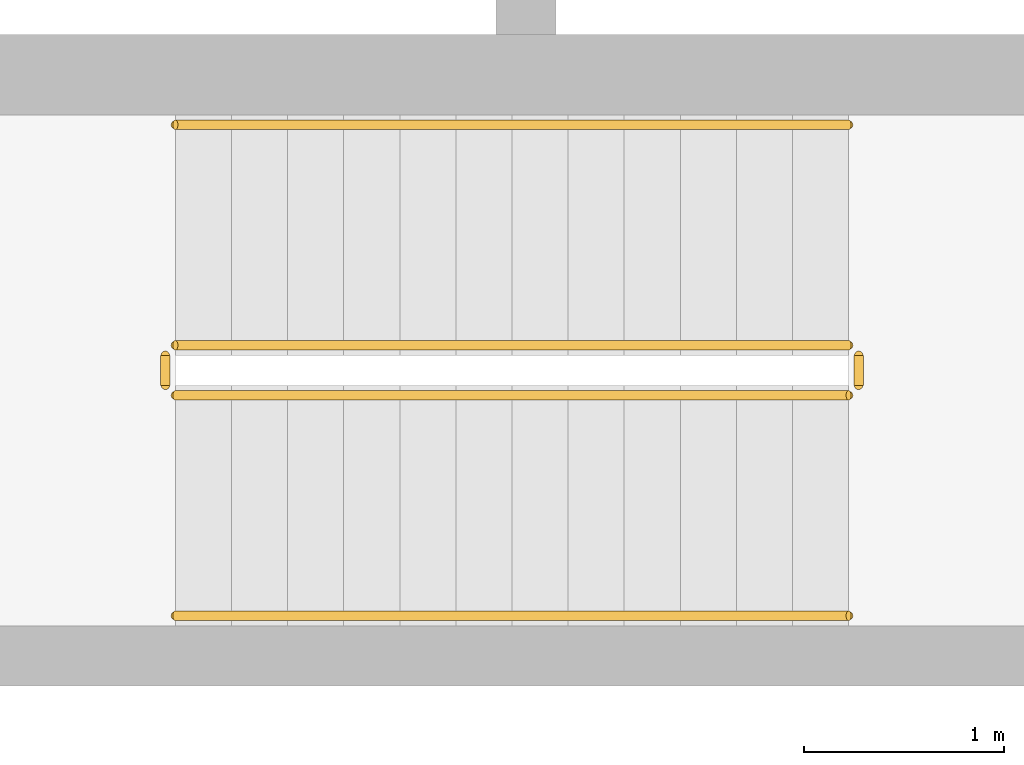
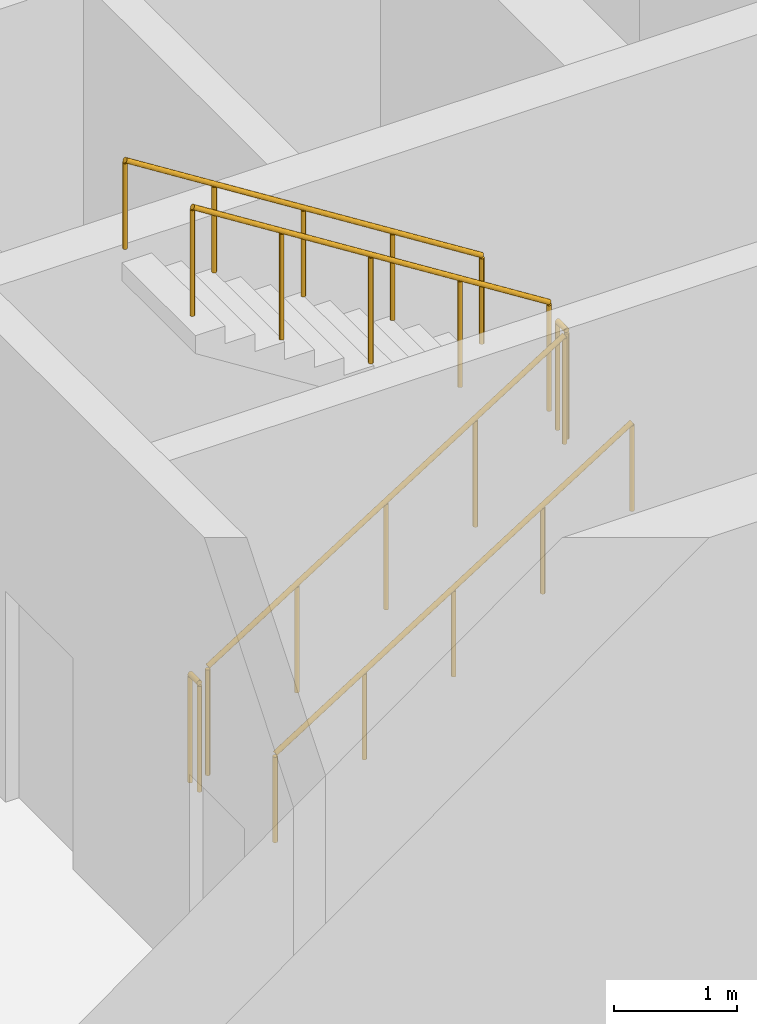
# One storey, part 12 of 15: 6 railings.
"""IFC4 building model written with IfcOpenShell, lengths in metres."""

from ifc_helpers import new_model, si_unit, direction, frame, origin, origin_2d, place, context, subcontext, project, spatial, circle, extrude, material, type_object, element, save


model = new_model("IFC4")

# Units and contexts
model_context = context("Model", 3, precision=1e-05, world=origin(), true_north=direction((0.0, 1.0)))
body_context = subcontext(model_context, "Body", "Model", "MODEL_VIEW")
ifc_project = project(units=[si_unit("LENGTHUNIT", "METRE"), si_unit("AREAUNIT", "SQUARE_METRE"), si_unit("VOLUMEUNIT", "CUBIC_METRE"), si_unit("PLANEANGLEUNIT", "RADIAN"), si_unit("MASSUNIT", "GRAM", prefix="KILO")], contexts=[model_context])

# Site, building, storey
site_placement = place(None, origin())
site = spatial("IfcSite", under=ifc_project, at=site_placement, CompositionType="ELEMENT")
building_placement = place(site_placement, origin())
building = spatial("IfcBuilding", under=site, at=building_placement, Name="Ostrand Prow Hotel Tower", CompositionType="ELEMENT")
storey_placement = place(building_placement, frame((0.0, 0.0, 216.199951171875)))
storey = spatial("IfcBuildingStorey", under=building, at=storey_placement, Name="L54", CompositionType="ELEMENT", Elevation=216.199951171875)

# Railings
ifc_material_1 = material(Name="Painted steel", Category="steel")
railing_type_1 = type_object("IfcRailingType", Name="Stair guard 1100", PredefinedType="GUARDRAIL", material=ifc_material_1)
railing_1_placement = place(storey_placement, frame((57.199951171875, -11.75, 0.177001953125)))
element("IfcRailing", 1, at=railing_1_placement, inside=storey, type_object=railing_type_1, Name="L54 ST2C stair guard 1", PredefinedType="GUARDRAIL", context=body_context, shape_type="SweptSolid", body=[
    extrude(circle(Radius=0.02392578125, at=origin_2d()), frame((0.0, 0.0, 1.076171875), z_axis=(0.845389635667, 0.0, 0.534150132366), x_axis=(0.0, 1.0, 0.0)), (0.0, 0.0, 1.0), 3.974609375),
    extrude(circle(Radius=0.02099609375, at=origin_2d()), origin(), (0.0, 0.0, 1.0), 1.052001953125),
    extrude(circle(Radius=0.02099609375, at=origin_2d()), frame((0.840087890625, 0.0, 0.53076171875)), (0.0, 0.0, 1.0), 1.052001953125),
    extrude(circle(Radius=0.02099609375, at=origin_2d()), frame((1.68017578125, 0.0, 1.0615234375)), (0.0, 0.0, 1.0), 1.052001953125),
    extrude(circle(Radius=0.02099609375, at=origin_2d()), frame((2.52001953125, 0.0, 1.59228515625)), (0.0, 0.0, 1.0), 1.052001953125),
    extrude(circle(Radius=0.02099609375, at=origin_2d()), frame((3.360107421875, 0.0, 2.123046875)), (0.0, 0.0, 1.0), 1.052001953125),
])
railing_2_placement = place(storey_placement, frame((60.610107421875, -11.699951171875, 2.300048828125)))
element("IfcRailing", 2, at=railing_2_placement, inside=storey, type_object=railing_type_1, Name="L54 ST2C stair guard 2", PredefinedType="GUARDRAIL", context=body_context, shape_type="SweptSolid", body=[
    extrude(circle(Radius=0.02392578125, at=origin_2d()), frame((0.0, 0.0, 1.076171875), z_axis=(0.0, 1.0, 0.0), x_axis=(-1.0, 0.0, 0.0)), (0.0, 0.0, 1.0), 0.14990234375),
    extrude(circle(Radius=0.02099609375, at=origin_2d()), origin(), (0.0, 0.0, 1.0), 1.052001953125),
    extrude(circle(Radius=0.02099609375, at=origin_2d()), frame((0.0, 0.14990234375, 0.0)), (0.0, 0.0, 1.0), 1.052001953125),
])
railing_3_placement = place(storey_placement, frame((60.56005859375, -11.5, 2.47705078125)))
element("IfcRailing", 3, at=railing_3_placement, inside=storey, type_object=railing_type_1, Name="L54 ST2C stair guard 3", PredefinedType="GUARDRAIL", context=body_context, shape_type="SweptSolid", body=[
    extrude(circle(Radius=0.02392578125, at=origin_2d()), frame((0.0, 0.0, 1.076171875), z_axis=(-0.845389635667, 0.0, 0.534150132366), x_axis=(0.0, -1.0, 0.0)), (0.0, 0.0, 1.0), 3.974609375),
    extrude(circle(Radius=0.02099609375, at=origin_2d()), origin(), (0.0, 0.0, 1.0), 1.052001953125),
    extrude(circle(Radius=0.02099609375, at=origin_2d()), frame((-0.840087890625, 0.0, 0.53076171875)), (0.0, 0.0, 1.0), 1.052001953125),
    extrude(circle(Radius=0.02099609375, at=origin_2d()), frame((-1.68017578125, 0.0, 1.0615234375)), (0.0, 0.0, 1.0), 1.052001953125),
    extrude(circle(Radius=0.02099609375, at=origin_2d()), frame((-2.52001953125, 0.0, 1.59228515625)), (0.0, 0.0, 1.0), 1.052001953125),
    extrude(circle(Radius=0.02099609375, at=origin_2d()), frame((-3.360107421875, 0.0, 2.123046875)), (0.0, 0.0, 1.0), 1.052001953125),
])
railing_4_placement = place(storey_placement, frame((57.14990234375, -11.699951171875, 0.0)))
element("IfcRailing", 4, at=railing_4_placement, inside=storey, type_object=railing_type_1, Name="L54 ST2C stair guard 4", PredefinedType="GUARDRAIL", context=body_context, shape_type="SweptSolid", body=[
    extrude(circle(Radius=0.02392578125, at=origin_2d()), frame((0.0, 0.0, 1.076171875), z_axis=(0.0, 1.0, 0.0), x_axis=(-1.0, 0.0, 0.0)), (0.0, 0.0, 1.0), 0.14990234375),
    extrude(circle(Radius=0.02099609375, at=origin_2d()), origin(), (0.0, 0.0, 1.0), 1.052001953125),
    extrude(circle(Radius=0.02099609375, at=origin_2d()), frame((0.0, 0.14990234375, 0.0)), (0.0, 0.0, 1.0), 1.052001953125),
])
ifc_material_2 = material(Name="Stainless steel", Category="steel")
railing_type_2 = type_object("IfcRailingType", Name="Stair handrail 900", PredefinedType="HANDRAIL", material=ifc_material_2)
railing_5_placement = place(storey_placement, frame((57.199951171875, -12.85009765625, 0.177001953125)))
element("IfcRailing", 5, at=railing_5_placement, inside=storey, type_object=railing_type_2, Name="L54 ST2C stair handrail 1", PredefinedType="HANDRAIL", context=body_context, shape_type="SweptSolid", body=[
    extrude(circle(Radius=0.02392578125, at=origin_2d()), frame((0.0, 0.0, 0.8759765625), z_axis=(0.845389635667, 0.0, 0.534150132366), x_axis=(0.0, 1.0, 0.0)), (0.0, 0.0, 1.0), 3.974609375),
    extrude(circle(Radius=0.02099609375, at=origin_2d()), origin(), (0.0, 0.0, 1.0), 0.851806640625),
    extrude(circle(Radius=0.02099609375, at=origin_2d()), frame((0.840087890625, 0.0, 0.53076171875)), (0.0, 0.0, 1.0), 0.851806640625),
    extrude(circle(Radius=0.02099609375, at=origin_2d()), frame((1.68017578125, 0.0, 1.0615234375)), (0.0, 0.0, 1.0), 0.851806640625),
    extrude(circle(Radius=0.02099609375, at=origin_2d()), frame((2.52001953125, 0.0, 1.59228515625)), (0.0, 0.0, 1.0), 0.851806640625),
    extrude(circle(Radius=0.02099609375, at=origin_2d()), frame((3.360107421875, 0.0, 2.123046875)), (0.0, 0.0, 1.0), 0.851806640625),
])
railing_6_placement = place(storey_placement, frame((60.56005859375, -10.39990234375, 2.47705078125)))
element("IfcRailing", 6, at=railing_6_placement, inside=storey, type_object=railing_type_2, Name="L54 ST2C stair handrail 2", PredefinedType="HANDRAIL", context=body_context, shape_type="SweptSolid", body=[
    extrude(circle(Radius=0.02392578125, at=origin_2d()), frame((0.0, 0.0, 0.8759765625), z_axis=(-0.845389635667, 0.0, 0.534150132366), x_axis=(0.0, -1.0, 0.0)), (0.0, 0.0, 1.0), 3.974609375),
    extrude(circle(Radius=0.02099609375, at=origin_2d()), origin(), (0.0, 0.0, 1.0), 0.851806640625),
    extrude(circle(Radius=0.02099609375, at=origin_2d()), frame((-0.840087890625, 0.0, 0.53076171875)), (0.0, 0.0, 1.0), 0.851806640625),
    extrude(circle(Radius=0.02099609375, at=origin_2d()), frame((-1.68017578125, 0.0, 1.0615234375)), (0.0, 0.0, 1.0), 0.851806640625),
    extrude(circle(Radius=0.02099609375, at=origin_2d()), frame((-2.52001953125, 0.0, 1.59228515625)), (0.0, 0.0, 1.0), 0.851806640625),
    extrude(circle(Radius=0.02099609375, at=origin_2d()), frame((-3.360107421875, 0.0, 2.123046875)), (0.0, 0.0, 1.0), 0.851806640625),
])

save(model, "model.ifc")
